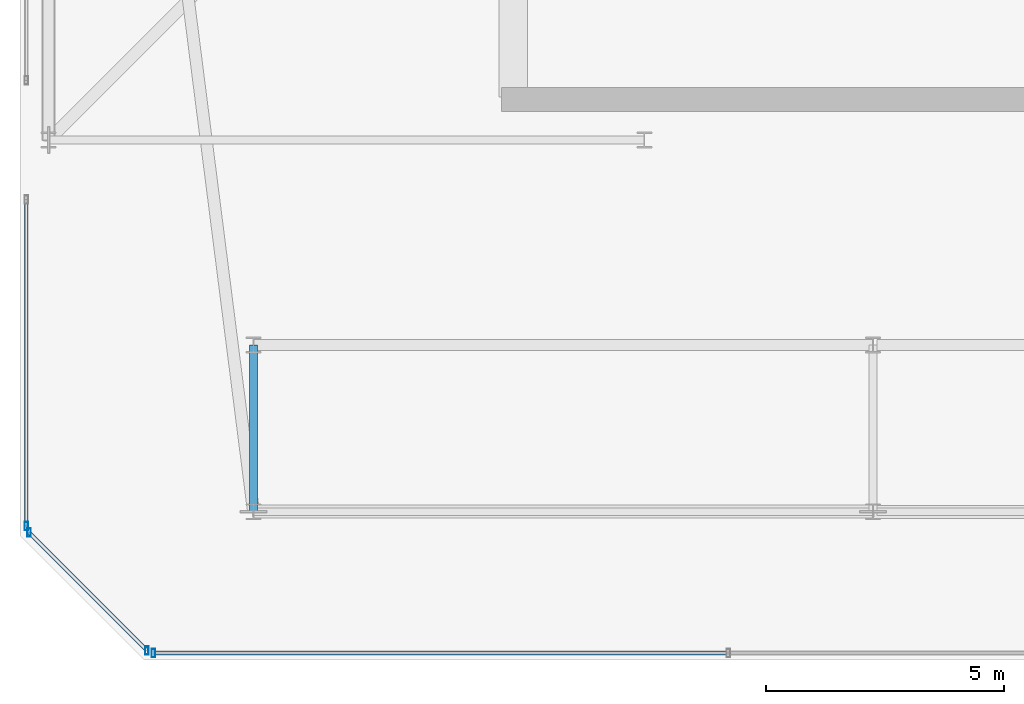
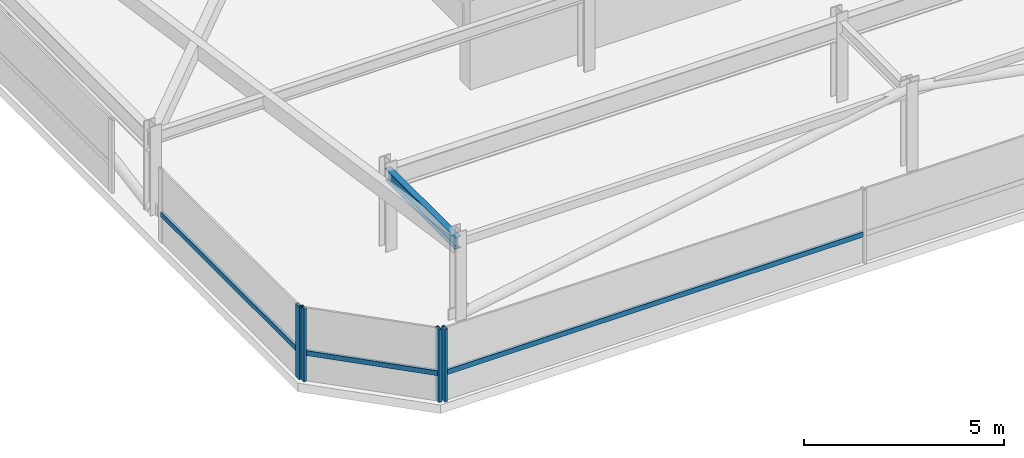
# One storey, part 7 of 42: 7 members, 1 beam, 3 elements without a shape of their own.
"""IFC4 building model written with IfcOpenShell, lengths in metres."""

from ifc_helpers import new_model, si_unit, direction, frame, origin, origin_2d, place, context, subcontext, project, spatial, hollow_rectangle, i_section, extrude, material, material_profile, profile_set, type_object, element, aggregate, save


model = new_model("IFC4")

# Units and contexts
model_context = context("Model", 3, precision=1e-05, world=origin(), true_north=direction((0.0, 1.0)))
body_context = subcontext(model_context, "Body", "Model", "MODEL_VIEW")
ifc_project = project(units=[si_unit("LENGTHUNIT", "METRE"), si_unit("AREAUNIT", "SQUARE_METRE"), si_unit("VOLUMEUNIT", "CUBIC_METRE"), si_unit("PLANEANGLEUNIT", "RADIAN"), si_unit("MASSUNIT", "GRAM", prefix="KILO")], contexts=[model_context])

# Site, building, storey
site_placement = place(None, origin())
site = spatial("IfcSite", under=ifc_project, at=site_placement, CompositionType="ELEMENT")
building_placement = place(site_placement, origin())
building = spatial("IfcBuilding", under=site, at=building_placement, Name="Thornwick Lancets Civic Towers", CompositionType="ELEMENT")
storey_placement = place(building_placement, frame((0.0, 0.0, 289.5)))
storey = spatial("IfcBuildingStorey", under=building, at=storey_placement, Name="C04", CompositionType="ELEMENT", Elevation=289.5)

# Beam
ifc_material_1 = material(Name="Steel S355JR", Category="steel")
ifc_material_profile_1 = material_profile(ifc_material_1, i_section(OverallWidth=0.173095703125, OverallDepth=0.36328125, WebThickness=0.009033203125, FlangeThickness=0.015625, FilletRadius=0.01025390625, at=origin_2d()), Name="UKB 356x171x67")
ifc_profile_set_1 = profile_set([ifc_material_profile_1], Name="Steel S355JR")
beam_type = type_object("IfcBeamType", Name="BM_JOIST_356_67", PredefinedType="JOIST", material=ifc_profile_set_1)
beam_placement = place(storey_placement, frame((12.5, 9.699951171875, 2.25830078125), z_axis=(0.0, -1.0, 0.0), x_axis=(1.0, 0.0, 0.0)))
element("IfcBeam", 1, at=beam_placement, inside=storey, type_object=beam_type, Name="BM-RAD-C04-A01", PredefinedType="JOIST", context=body_context, shape_type="SweptSolid", body=[
    extrude(i_section(OverallWidth=0.173095703125, OverallDepth=0.36328125, WebThickness=0.009033203125, FlangeThickness=0.015625, FilletRadius=0.01025390625, at=origin_2d()), origin(), (0.0, 0.0, 1.0), 3.5),
])

# Curtain wall, member
ifc_material_2 = material(Name="Crown ring acoustic-louvre and glazing screen wall", Category="glass")
curtain_wall_type = type_object("IfcCurtainWallType", Name="CW_SYS_07", PredefinedType="NOTDEFINED", material=ifc_material_2)
curtain_wall_1_placement = place(storey_placement, origin())
curtain_wall_1 = element("IfcCurtainWall", 2, at=curtain_wall_1_placement, inside=storey, type_object=curtain_wall_type, Name="C04 Curtain Wall CW-C04-A-E0", PredefinedType="NOTDEFINED")
ifc_material_3 = material(Name="Thermally broken bronze aluminium S355", Category="steel")
ifc_material_profile_2 = material_profile(ifc_material_3, hollow_rectangle(XDim=0.074951171875, YDim=0.179931640625, WallThickness=0.006103515625, at=origin_2d()), Name="RHS 180x75x6")
ifc_profile_set_2 = profile_set([ifc_material_profile_2], Name="Thermally broken bronze aluminium S355")
member_type_1 = type_object("IfcMemberType", Name="CW_MUL_180", PredefinedType="MULLION", material=ifc_profile_set_2)
member_1_placement = place(storey_placement, frame((10.398681640625, 3.2353515625, 0.0), z_axis=(0.0, 0.0, 1.0), x_axis=(1.0, 0.0, 0.0)))
member_1 = element("IfcMember", 3, at=member_1_placement, type_object=member_type_1, Name="CW-C04-A-E0 Mullion 0", PredefinedType="MULLION", context=body_context, shape_type="SweptSolid", body=[
    extrude(hollow_rectangle(XDim=0.074951171875, YDim=0.179931640625, WallThickness=0.006103515625, at=origin_2d()), origin(), (0.0, 0.0, 1.0), 2.219970703125),
])

curtain_wall_2_placement = place(storey_placement, origin())
curtain_wall_2 = element("IfcCurtainWall", 4, at=curtain_wall_2_placement, inside=storey, type_object=curtain_wall_type, Name="C04 Curtain Wall CW-C04-A-E6-S3", PredefinedType="NOTDEFINED")
member_2_placement = place(storey_placement, frame((7.7353515625, 5.898681640625, 0.0), z_axis=(0.0, 0.0, 1.0), x_axis=(1.0, 0.0, 0.0)))
member_2 = element("IfcMember", 5, at=member_2_placement, type_object=member_type_1, Name="CW-C04-A-E6-S3 Mullion 1", PredefinedType="MULLION", context=body_context, shape_type="SweptSolid", body=[
    extrude(hollow_rectangle(XDim=0.074951171875, YDim=0.179931640625, WallThickness=0.006103515625, at=origin_2d()), origin(), (0.0, 0.0, 1.0), 2.219970703125),
])

# Curtain wall, members
curtain_wall_3_placement = place(storey_placement, origin())
curtain_wall_3 = element("IfcCurtainWall", 6, at=curtain_wall_3_placement, inside=storey, type_object=curtain_wall_type, Name="C04 Curtain Wall CW-C04-A-E7", PredefinedType="NOTDEFINED")
member_3_placement = place(storey_placement, frame((7.7919921875, 5.761962890625, 0.0), z_axis=(0.0, 0.0, 1.0), x_axis=(1.0, 0.0, 0.0)))
member_3 = element("IfcMember", 7, at=member_3_placement, type_object=member_type_1, Name="CW-C04-A-E7 Mullion 0", PredefinedType="MULLION", context=body_context, shape_type="SweptSolid", body=[
    extrude(hollow_rectangle(XDim=0.074951171875, YDim=0.179931640625, WallThickness=0.006103515625, at=origin_2d()), origin(), (0.0, 0.0, 1.0), 2.219970703125),
])
member_4_placement = place(storey_placement, frame((10.261962890625, 3.2919921875, 0.0), z_axis=(0.0, 0.0, 1.0), x_axis=(1.0, 0.0, 0.0)))
member_4 = element("IfcMember", 8, at=member_4_placement, type_object=member_type_1, Name="CW-C04-A-E7 Mullion 1", PredefinedType="MULLION", context=body_context, shape_type="SweptSolid", body=[
    extrude(hollow_rectangle(XDim=0.074951171875, YDim=0.179931640625, WallThickness=0.006103515625, at=origin_2d()), origin(), (0.0, 0.0, 1.0), 2.219970703125),
])

# Member
ifc_material_profile_3 = material_profile(ifc_material_3, hollow_rectangle(XDim=0.074951171875, YDim=0.14990234375, WallThickness=0.0048828125, at=origin_2d()), Name="RHS 150x75x5")
ifc_profile_set_3 = profile_set([ifc_material_profile_3], Name="Thermally broken bronze aluminium S355")
member_type_2 = type_object("IfcMemberType", Name="CW_TRN_150", PredefinedType="USERDEFINED", material=ifc_profile_set_3)
member_5_placement = place(storey_placement, frame((10.418701171875, 3.2353515625, 0.85009765625), z_axis=(1.0, 0.0, 0.0), x_axis=(0.0, 1.0, 0.0)))
member_5 = element("IfcMember", 9, at=member_5_placement, type_object=member_type_2, Name="CW-C04-A-E0 Transom 0", ObjectType="TRANSOM", PredefinedType="USERDEFINED", context=body_context, shape_type="SweptSolid", body=[
    extrude(hollow_rectangle(XDim=0.074951171875, YDim=0.14990234375, WallThickness=0.0048828125, at=origin_2d()), origin(), (0.0, 0.0, 1.0), 12.027587890625),
])

aggregate(curtain_wall_1, [member_1, member_5])

member_6_placement = place(storey_placement, frame((7.7353515625, 12.72998046875, 0.85009765625), z_axis=(0.0, -1.0, 0.0), x_axis=(1.0, 0.0, 0.0)))
member_6 = element("IfcMember", 10, at=member_6_placement, type_object=member_type_2, Name="CW-C04-A-E6-S3 Transom 0", ObjectType="TRANSOM", PredefinedType="USERDEFINED", context=body_context, shape_type="SweptSolid", body=[
    extrude(hollow_rectangle(XDim=0.074951171875, YDim=0.14990234375, WallThickness=0.0048828125, at=origin_2d()), origin(), (0.0, 0.0, 1.0), 6.811279296875),
])

aggregate(curtain_wall_2, [member_2, member_6])

member_7_placement = place(storey_placement, frame((7.80615234375, 5.747802734375, 0.85009765625), z_axis=(0.707106781187, -0.707106781187, 0.0), x_axis=(0.707106781187, 0.707106781187, 0.0)))
member_7 = element("IfcMember", 11, at=member_7_placement, type_object=member_type_2, Name="CW-C04-A-E7 Transom 0", ObjectType="TRANSOM", PredefinedType="USERDEFINED", context=body_context, shape_type="SweptSolid", body=[
    extrude(hollow_rectangle(XDim=0.074951171875, YDim=0.14990234375, WallThickness=0.0048828125, at=origin_2d()), origin(), (0.0, 0.0, 1.0), 3.453125),
])

aggregate(curtain_wall_3, [member_3, member_4, member_7])

save(model, "model.ifc")
